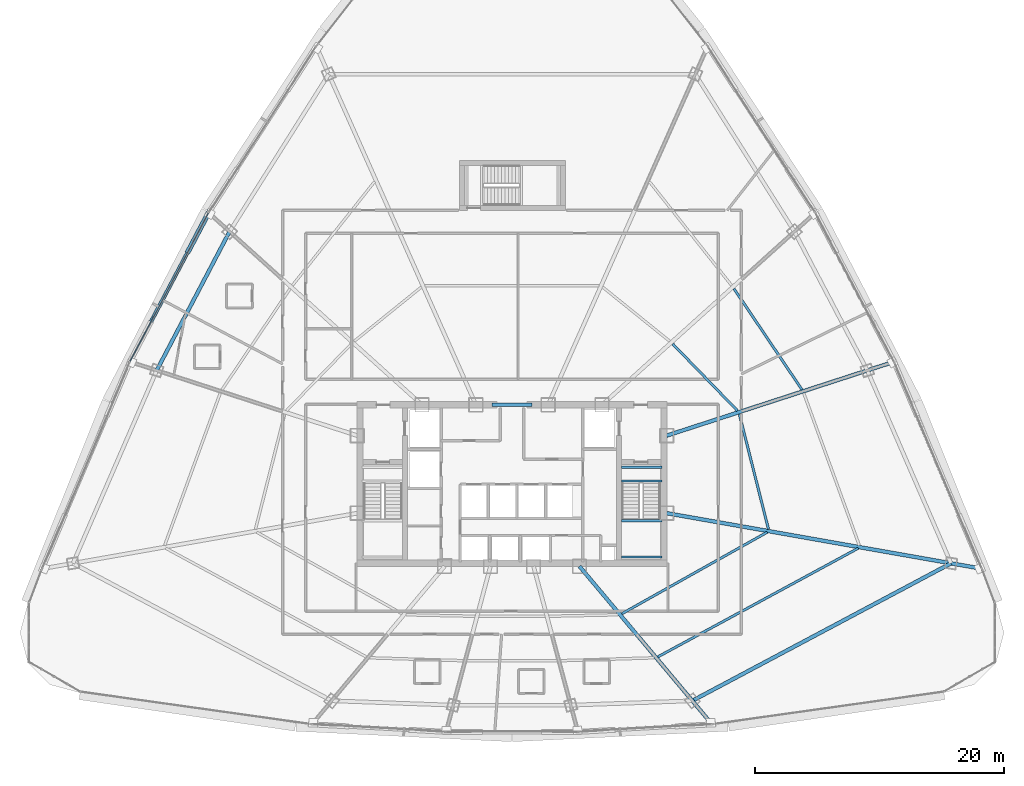
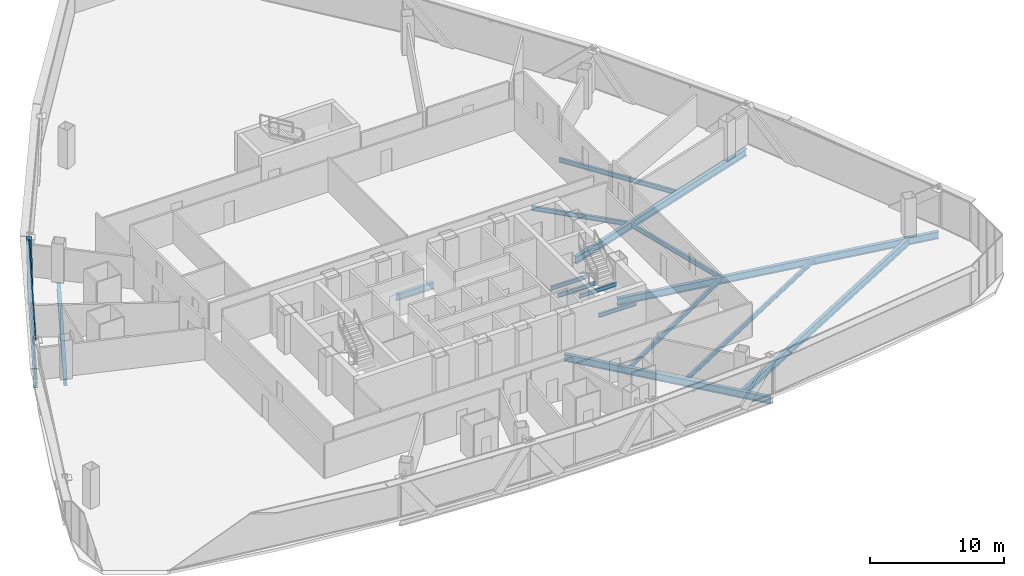
# One storey, part 15 of 40: 16 beams, 3 members, 1 element without a shape of its own.
"""IFC4 building model written with IfcOpenShell, lengths in metres."""

import ifcopenshell
import ifcopenshell.guid

model = None  # the IFC model being written
_history = None  # IfcOwnerHistory: only IFC2X3 demands one
_inside = {}  # id of a spatial element -> (the spatial element, [elements in it])
_under = {}  # id of a project, library or spatial element -> (it, [spatial elements below it])
_declared = {}  # id of a project -> (the project, [libraries it declares])
_typed = {}  # id of a type object -> (the type object, [elements of that type])
_made_of = {}  # id of a material, layer set ... -> (it, [elements and type objects made of it])


def new_model(schema):
    """Start an empty IFC model of exactly this schema.

    Asked for "IFC4X3", IfcOpenShell would pick the latest addendum, in which some entities
    have other attributes; the version numbers below select the first issue.
    IFC2X3 requires an IfcOwnerHistory on every rooted entity: one is made here for all.
    """
    global model, _history
    if schema == "IFC4X3":
        model = ifcopenshell.file(schema_version=(4, 3, 0, 0))
    else:
        model = ifcopenshell.file(schema=schema)
    _inside.clear()
    _under.clear()
    _declared.clear()
    _typed.clear()
    _made_of.clear()
    _history = None
    if model.schema == "IFC2X3":
        org = make("IfcOrganization", Name="unknown")
        user = make(
            "IfcPersonAndOrganization",
            ThePerson=make("IfcPerson", FamilyName="unknown"),
            TheOrganization=org,
        )
        app = make(
            "IfcApplication",
            ApplicationDeveloper=org,
            Version="unknown",
            ApplicationFullName="unknown",
            ApplicationIdentifier="unknown",
        )
        _history = make(
            "IfcOwnerHistory",
            OwningUser=user,
            OwningApplication=app,
            ChangeAction="ADDED",
            CreationDate=0,
        )
    return model


def make(cls, **values):
    """One entity of the class cls with the attributes given. An attribute that is None is left unset."""
    return model.create_entity(
        cls, **{name: value for name, value in values.items() if value is not None}
    )


def rooted(cls, **values):
    """An entity with a GlobalId (a new one), such as an element, a storey or a relation."""
    return make(cls, GlobalId=ifcopenshell.guid.new(), OwnerHistory=_history, **values)


def si_unit(unit_type, name, prefix=None):
    """IfcSIUnit, for example si_unit("LENGTHUNIT", "METRE", prefix="MILLI")."""
    return make("IfcSIUnit", UnitType=unit_type, Prefix=prefix, Name=name)


def assignment(units):
    """IfcUnitAssignment: the units of a project."""
    return None if units is None else make("IfcUnitAssignment", Units=units)


def point(xyz):
    """IfcCartesianPoint."""
    return None if xyz is None else make("IfcCartesianPoint", Coordinates=xyz)


def direction(xyz):
    """IfcDirection."""
    return None if xyz is None else make("IfcDirection", DirectionRatios=xyz)


def frame(location, z_axis=None, x_axis=None):
    """IfcAxis2Placement3D, a coordinate frame: its origin and axes. An axis left out is left unset."""
    return make(
        "IfcAxis2Placement3D",
        Location=point(location),
        Axis=direction(z_axis),
        RefDirection=direction(x_axis),
    )


def frame_2d(location, x_axis=None):
    """IfcAxis2Placement2D, a coordinate frame in the plane: its origin and x axis."""
    return make(
        "IfcAxis2Placement2D", Location=point(location), RefDirection=direction(x_axis)
    )


def origin():
    """The frame at (0, 0, 0) with its axes left unset."""
    return frame((0.0, 0.0, 0.0))


def origin_2d():
    """The frame at (0, 0) in the plane with its x axis left unset."""
    return frame_2d((0.0, 0.0))


def place(relative_to, where):
    """IfcLocalPlacement: puts the frame where relative to a parent placement (None: the world)."""
    return make(
        "IfcLocalPlacement", PlacementRelTo=relative_to, RelativePlacement=where
    )


def context(
    kind, dimensions, precision=None, world=None, true_north=None, identifier=None
):
    """IfcGeometricRepresentationContext, for example the 3D "Model" context."""
    return make(
        "IfcGeometricRepresentationContext",
        ContextIdentifier=identifier,
        ContextType=kind,
        CoordinateSpaceDimension=dimensions,
        Precision=precision,
        WorldCoordinateSystem=world,
        TrueNorth=true_north,
    )


def subcontext(parent, identifier, kind, view, scale=None):
    """IfcGeometricRepresentationSubContext, for example "Body" below "Model"."""
    return make(
        "IfcGeometricRepresentationSubContext",
        ContextIdentifier=identifier,
        ContextType=kind,
        ParentContext=parent,
        TargetScale=scale,
        TargetView=view,
    )


def project(units=None, contexts=None):
    """IfcProject with its units and contexts."""
    return rooted(
        "IfcProject",
        Name="project",
        RepresentationContexts=contexts,
        UnitsInContext=assignment(units),
    )


def spatial(cls, under=None, at=None, **own):
    """A site, building, storey or space (cls), placed at a placement, below another one or the project."""
    s = rooted(cls, ObjectPlacement=at, **own)
    if under is not None:
        _under.setdefault(under.id(), (under, []))[1].append(s)
    return s


def profile(cls, at=None, kind="AREA", **sizes):
    """A parametric profile (cls). Its sizes go by their IFC names, for example OverallWidth=200.0."""
    return make(cls, ProfileType=kind, Position=at, **sizes)


def hollow_rectangle(**sizes):
    """IfcRectangleHollowProfileDef."""
    return profile("IfcRectangleHollowProfileDef", **sizes)


def i_section(**sizes):
    """IfcIShapeProfileDef."""
    return profile("IfcIShapeProfileDef", **sizes)


def extrude(swept, where, along, depth):
    """IfcExtrudedAreaSolid: the profile swept, set in the frame where, extruded along a direction by depth."""
    return make(
        "IfcExtrudedAreaSolid",
        SweptArea=swept,
        Position=where,
        ExtrudedDirection=direction(along),
        Depth=depth,
    )


def shape(context_of_items, identifier, shape_type, items):
    """IfcShapeRepresentation: the items that make up one representation, for example the "Body"."""
    return make(
        "IfcShapeRepresentation",
        ContextOfItems=context_of_items,
        RepresentationIdentifier=identifier,
        RepresentationType=shape_type,
        Items=items,
    )


def source(mapping_origin, context_of_items, identifier, shape_type, items):
    """IfcRepresentationMap: a shape defined once, which mapped items show again and again."""
    return make(
        "IfcRepresentationMap",
        MappingOrigin=mapping_origin,
        MappedRepresentation=shape(context_of_items, identifier, shape_type, items),
    )


def transform(
    local_origin,
    x_axis=None,
    y_axis=None,
    z_axis=None,
    scale=None,
    scale2=None,
    scale3=None,
    uniform=True,
):
    """IfcCartesianTransformationOperator3D, or its non-uniform kind. x_axis, y_axis, z_axis: its Axis1, 2, 3."""
    if uniform:
        return make(
            "IfcCartesianTransformationOperator3D",
            Axis1=direction(x_axis),
            Axis2=direction(y_axis),
            LocalOrigin=point(local_origin),
            Scale=scale,
            Axis3=direction(z_axis),
        )
    return make(
        "IfcCartesianTransformationOperator3DnonUniform",
        Axis1=direction(x_axis),
        Axis2=direction(y_axis),
        LocalOrigin=point(local_origin),
        Scale=scale,
        Axis3=direction(z_axis),
        Scale2=scale2,
        Scale3=scale3,
    )


def mapped(mapping_source, mapping_target):
    """IfcMappedItem: shows the shape of a source again, moved by a transform."""
    return make(
        "IfcMappedItem", MappingSource=mapping_source, MappingTarget=mapping_target
    )


def material(Name=None, Category=None):
    """IfcMaterial."""
    return make("IfcMaterial", Name=Name, Category=Category)


def layer(
    of_material, thickness, ventilated=None, Name=None, Category=None, Priority=None
):
    """IfcMaterialLayer: one layer of a wall or slab, of a material (None: an air gap)."""
    return make(
        "IfcMaterialLayer",
        Material=of_material,
        LayerThickness=thickness,
        IsVentilated=ventilated,
        Name=Name,
        Category=Category,
        Priority=Priority,
    )


def layer_set(layers, Name=None):
    """IfcMaterialLayerSet."""
    return make("IfcMaterialLayerSet", MaterialLayers=layers, LayerSetName=Name)


def material_profile(
    of_material, cross_section, Name=None, Category=None, Priority=None
):
    """IfcMaterialProfile: a cross section and its material."""
    return make(
        "IfcMaterialProfile",
        Name=Name,
        Material=of_material,
        Profile=cross_section,
        Priority=Priority,
        Category=Category,
    )


def profile_set(profiles, Name=None, composite=None):
    """IfcMaterialProfileSet."""
    return make(
        "IfcMaterialProfileSet",
        Name=Name,
        MaterialProfiles=profiles,
        CompositeProfile=composite,
    )


def made_of(thing, what):
    """Note that an element or type object is made of a material, layer set ...; save() writes the relation."""
    if what is not None:
        _made_of.setdefault(what.id(), (what, []))[1].append(thing)
    return thing


def type_object(cls, material=None, **own):
    """A type object (cls), such as IfcWallType, which elements share."""
    return made_of(rooted(cls, **own), material)


def element(
    cls,
    number,
    at=None,
    inside=None,
    cuts=None,
    type_object=None,
    material=None,
    context=None,
    identifier="Body",
    shape_type=None,
    held_by="IfcProductDefinitionShape",
    body=None,
    shapes=None,
    **own,
):
    """One element of the class cls, such as IfcWall. Its Tag is "e" and its number.

    at: its placement. inside: the storey or other place that contains it. cuts: it is an
    opening in that element (IfcRelVoidsElement). A single representation is given by context,
    identifier, shape_type and body (its items); several are given by shapes. held_by: the class
    of the entity that holds the representations. save() writes the other relations.
    """
    e = rooted(cls, Tag="e%d" % number, ObjectPlacement=at, **own)
    if body is not None:
        shapes = [shape(context, identifier, shape_type, body)]
    if shapes is not None:
        e.Representation = make(held_by, Representations=shapes)
    if inside is not None:
        _inside.setdefault(inside.id(), (inside, []))[1].append(e)
    if cuts is not None:
        rooted(
            "IfcRelVoidsElement", RelatingBuildingElement=cuts, RelatedOpeningElement=e
        )
    if type_object is not None:
        _typed.setdefault(type_object.id(), (type_object, []))[1].append(e)
    return made_of(e, material)


def aggregate(whole, parts):
    """IfcRelAggregates: a whole, such as a stair, and the parts it consists of."""
    return rooted("IfcRelAggregates", RelatingObject=whole, RelatedObjects=parts)


def save(model, path):
    """Write the relations noted so far, then the file.

    IfcRelAggregates (storeys below a building ...), IfcRelContainedInSpatialStructure (elements
    in a storey), IfcRelDefinesByType, IfcRelAssociatesMaterial and IfcRelDeclares: one each for
    every whole, place, type object, material and project.
    """
    for whole, parts in _under.values():
        aggregate(whole, parts)
    for where, things in _inside.values():
        rooted(
            "IfcRelContainedInSpatialStructure",
            RelatedElements=things,
            RelatingStructure=where,
        )
    for kind, things in _typed.values():
        rooted("IfcRelDefinesByType", RelatedObjects=things, RelatingType=kind)
    for what, things in _made_of.values():
        rooted("IfcRelAssociatesMaterial", RelatedObjects=things, RelatingMaterial=what)
    for by, libraries in _declared.values():
        rooted("IfcRelDeclares", RelatingContext=by, RelatedDefinitions=libraries)
    model.write(path)


model = new_model("IFC4")

# Units and contexts
model_context = context("Model", 3, precision=1e-05, world=origin(), true_north=direction((0.0, 1.0)))
body_context = subcontext(model_context, "Body", "Model", "MODEL_VIEW")
ifc_project = project(units=[si_unit("LENGTHUNIT", "METRE"), si_unit("AREAUNIT", "SQUARE_METRE"), si_unit("VOLUMEUNIT", "CUBIC_METRE"), si_unit("PLANEANGLEUNIT", "RADIAN"), si_unit("MASSUNIT", "GRAM", prefix="KILO"), si_unit("THERMODYNAMICTEMPERATUREUNIT", "KELVIN"), si_unit("POWERUNIT", "WATT")], contexts=[model_context])

# Site, building, storey
site_placement = place(None, origin())
site = spatial("IfcSite", under=ifc_project, at=site_placement, CompositionType="ELEMENT")
building_placement = place(site_placement, origin())
building = spatial("IfcBuilding", under=site, at=building_placement, Name="Yunzhuo Pagoda Commons", CompositionType="ELEMENT")
storey_placement = place(building_placement, frame((0.0, 0.0, 188.56005859375)))
storey = spatial("IfcBuildingStorey", under=building, at=storey_placement, Name="L47", CompositionType="ELEMENT", Elevation=188.56005859375)

# Beams
ifc_material_1 = material(Name="Structural steel Q355B", Category="steel")
ifc_material_profile_1 = material_profile(ifc_material_1, i_section(OverallWidth=0.175048828125, OverallDepth=0.35009765625, WebThickness=0.007080078125, FlangeThickness=0.010986328125, at=origin_2d()), Name="Structural steel Q355B")
ifc_profile_set_1 = profile_set([ifc_material_profile_1], Name="Structural steel Q355B")
beam_type_1 = type_object("IfcBeamType", Name="B-JS2 Joist HN 350x175x7x11", PredefinedType="JOIST", material=ifc_profile_set_1)
shared_shape_1 = source(origin(), body_context, "Body", "SweptSolid", [
    extrude(i_section(OverallWidth=0.175048828125, OverallDepth=0.35009765625, WebThickness=0.007080078125, FlangeThickness=0.010986328125, at=origin_2d()), origin(), (0.0, 0.0, 1.0), 3.25),
])
for number, where, z_axis, x_axis, name in (
    (1, (56.800048828125, 28.0, 1.52490234375), (1.0, 0.0, 0.0), (0.0, 1.0, 0.0), "L47 ST2 landing support beam 53A"),
    (2, (56.800048828125, 30.89990234375, 1.52490234375), (1.0, 0.0, 0.0), (0.0, 1.0, 0.0), "L47 ST2 landing support beam 53B"),
    (3, (56.800048828125, 34.10009765625, -0.375), (1.0, 0.0, 0.0), (0.0, 1.0, 0.0), "L47 ST2 landing support beam 151A"),
    (4, (56.800048828125, 35.199951171875, -0.375), (1.0, 0.0, 0.0), (0.0, 1.0, 0.0), "L47 ST2 landing support beam 151B"),
):
    element("IfcBeam", number, at=place(storey_placement, frame(where, z_axis=z_axis, x_axis=x_axis)), inside=storey, type_object=beam_type_1, Name=name, PredefinedType="JOIST", context=body_context, shape_type="MappedRepresentation", body=[
        mapped(shared_shape_1, transform((0.0, 0.0, 0.0), scale=1.0)),
    ])
ifc_material_2 = material(Name="Structural steel Q420B", Category="steel")
ifc_material_profile_2 = material_profile(ifc_material_2, i_section(OverallWidth=0.300048828125, OverallDepth=0.587890625, WebThickness=0.011962890625, FlangeThickness=0.02001953125, at=origin_2d()), Name="Structural steel Q420B")
ifc_profile_set_2 = profile_set([ifc_material_profile_2], Name="Structural steel Q420B")
beam_type_2 = type_object("IfcBeamType", Name="B-CPL Beam HM 588x300x12x20", PredefinedType="BEAM", material=ifc_profile_set_2)
shared_shape_2 = source(origin(), body_context, "Body", "SweptSolid", [
    extrude(i_section(OverallWidth=0.300048828125, OverallDepth=0.587890625, WebThickness=0.011962890625, FlangeThickness=0.02001953125, at=origin_2d()), origin(), (0.0, 0.0, 1.0), 3.2001953125),
])
beam_1_placement = place(storey_placement, frame((46.39990234375, 40.199951171875, -0.5537109375), z_axis=(1.0, 0.0, 0.0), x_axis=(0.0, 1.0, 0.0)))
element("IfcBeam", 5, at=beam_1_placement, inside=storey, type_object=beam_type_2, Name="L47 core coupling girder", PredefinedType="BEAM", context=body_context, shape_type="MappedRepresentation", body=[
    mapped(shared_shape_2, transform((0.0, 0.0, 0.0), scale=1.0)),
])
ifc_material_profile_3 = material_profile(ifc_material_1, i_section(OverallWidth=0.300048828125, OverallDepth=0.488037109375, WebThickness=0.010986328125, FlangeThickness=0.01806640625, at=origin_2d()), Name="Structural steel Q355B")
ifc_profile_set_3 = profile_set([ifc_material_profile_3], Name="Structural steel Q355B")
beam_type_3 = type_object("IfcBeamType", Name="B-SP1 Beam HM 488x300x11x18", PredefinedType="BEAM", material=ifc_profile_set_3)
shared_shape_3 = source(origin(), body_context, "Body", "SweptSolid", [
    extrude(i_section(OverallWidth=0.300048828125, OverallDepth=0.488037109375, WebThickness=0.010986328125, FlangeThickness=0.01806640625, at=origin_2d()), origin(), (0.0, 0.0, 1.0), 13.517333984375),
])
beam_2_placement = place(storey_placement, frame((23.66455078125, 55.61181640625, -0.504150390625), z_axis=(-0.466756265166, -0.884385995439, 0.0), x_axis=(0.884385995439, -0.466756265166, 0.0)))
element("IfcBeam", 6, at=beam_2_placement, inside=storey, type_object=beam_type_3, Name="L47 facade edge spandrel beam F3.2", PredefinedType="BEAM", context=body_context, shape_type="MappedRepresentation", body=[
    mapped(shared_shape_3, transform((0.0, 0.0, 0.0), scale=1.0)),
])
ifc_material_profile_4 = material_profile(ifc_material_1, i_section(OverallWidth=0.300048828125, OverallDepth=0.64990234375, WebThickness=0.012939453125, FlangeThickness=0.02197265625, at=origin_2d()), Name="Structural steel Q355B")
ifc_profile_set_4 = profile_set([ifc_material_profile_4], Name="Structural steel Q355B")
beam_type_4 = type_object("IfcBeamType", Name="B-RG2 Beam HN 650x300x13x22", PredefinedType="BEAM", material=ifc_profile_set_4)
shared_shape_4 = source(origin(), body_context, "Body", "SweptSolid", [
    extrude(i_section(OverallWidth=0.300048828125, OverallDepth=0.64990234375, WebThickness=0.012939453125, FlangeThickness=0.02197265625, at=origin_2d()), origin(), (0.0, 0.0, 1.0), 23.49365234375),
])
beam_3_placement = place(storey_placement, frame((62.461181640625, 16.4658203125, -0.5849609375), z_axis=(0.883016269865, 0.469342377325, 0.0), x_axis=(-0.469342377325, 0.883016269865, 0.0)))
element("IfcBeam", 7, at=beam_3_placement, inside=storey, type_object=beam_type_4, Name="L47 column-ring beam 4", PredefinedType="BEAM", context=body_context, shape_type="MappedRepresentation", body=[
    mapped(shared_shape_4, transform((0.0, 0.0, 0.0), scale=1.0)),
])
shared_shape_5 = source(origin(), body_context, "Body", "SweptSolid", [
    extrude(i_section(OverallWidth=0.300048828125, OverallDepth=0.64990234375, WebThickness=0.012939453125, FlangeThickness=0.02197265625, at=origin_2d()), origin(), (0.0, 0.0, 1.0), 12.576416015625),
])
beam_4_placement = place(storey_placement, frame((25.349365234375, 54.0947265625, -0.5849609375), z_axis=(-0.464676385233, -0.885480579689, 0.0), x_axis=(0.885480579689, -0.464676385233, 0.0)))
element("IfcBeam", 8, at=beam_4_placement, inside=storey, type_object=beam_type_4, Name="L47 column-ring beam 10", PredefinedType="BEAM", context=body_context, shape_type="MappedRepresentation", body=[
    mapped(shared_shape_5, transform((0.0, 0.0, 0.0), scale=1.0)),
])
shared_shape_6 = source(origin(), body_context, "Body", "SweptSolid", [
    extrude(i_section(OverallWidth=0.300048828125, OverallDepth=0.64990234375, WebThickness=0.012939453125, FlangeThickness=0.02197265625, at=origin_2d()), origin(), (0.0, 0.0, 1.0), 16.390625),
])
beam_5_placement = place(storey_placement, frame((63.94775390625, 14.694091796875, -0.5849609375), z_axis=(-0.642787129535, 0.766044846014, 0.0), x_axis=(-0.766044846014, -0.642787129535, 0.0)))
element("IfcBeam", 9, at=beam_5_placement, inside=storey, type_object=beam_type_4, Name="L47 radial floor girder F1C4", PredefinedType="BEAM", context=body_context, shape_type="MappedRepresentation", body=[
    mapped(shared_shape_6, transform((0.0, 0.0, 0.0), scale=1.0)),
])
shared_shape_7 = source(origin(), body_context, "Body", "SweptSolid", [
    extrude(i_section(OverallWidth=0.300048828125, OverallDepth=0.64990234375, WebThickness=0.012939453125, FlangeThickness=0.02197265625, at=origin_2d()), origin(), (0.0, 0.0, 1.0), 25.52734375),
])
beam_6_placement = place(storey_placement, frame((85.53955078125, 27.0810546875, -0.5849609375), z_axis=(-0.984810601719, 0.173632021076, 0.0), x_axis=(-0.173632021076, -0.984810601719, 0.0)))
element("IfcBeam", 10, at=beam_6_placement, inside=storey, type_object=beam_type_4, Name="L47 radial floor girder F2C1", PredefinedType="BEAM", context=body_context, shape_type="MappedRepresentation", body=[
    mapped(shared_shape_7, transform((0.0, 0.0, 0.0), scale=1.0)),
])
shared_shape_8 = source(origin(), body_context, "Body", "SweptSolid", [
    extrude(i_section(OverallWidth=0.300048828125, OverallDepth=0.64990234375, WebThickness=0.012939453125, FlangeThickness=0.02197265625, at=origin_2d()), origin(), (0.0, 0.0, 1.0), 19.029296875),
])
beam_7_placement = place(storey_placement, frame((78.497802734375, 43.609375, -0.5849609375), z_axis=(-0.95105641133, -0.309017317424, 0.0), x_axis=(0.309017317424, -0.95105641133, 0.0)))
element("IfcBeam", 11, at=beam_7_placement, inside=storey, type_object=beam_type_4, Name="L47 radial floor girder F2C2", PredefinedType="BEAM", context=body_context, shape_type="MappedRepresentation", body=[
    mapped(shared_shape_8, transform((0.0, 0.0, 0.0), scale=1.0)),
])
ifc_material_profile_5 = material_profile(ifc_material_1, i_section(OverallWidth=0.199951171875, OverallDepth=0.39990234375, WebThickness=0.008056640625, FlangeThickness=0.012939453125, at=origin_2d()), Name="Structural steel Q355B")
ifc_profile_set_5 = profile_set([ifc_material_profile_5], Name="Structural steel Q355B")
beam_type_5 = type_object("IfcBeamType", Name="B-JS1 Joist HN 400x200x8x13", PredefinedType="JOIST", material=ifc_profile_set_5)
shared_shape_9 = source(origin(), body_context, "Body", "SweptSolid", [
    extrude(i_section(OverallWidth=0.199951171875, OverallDepth=0.39990234375, WebThickness=0.008056640625, FlangeThickness=0.012939453125, at=origin_2d()), origin(), (0.0, 0.0, 1.0), 13.372802734375),
])
beam_8_placement = place(storey_placement, frame((56.80859375, 23.445556640625, -0.4599609375), z_axis=(0.872150261016, 0.4892381038, 0.0), x_axis=(-0.4892381038, 0.872150261016, 0.0)))
element("IfcBeam", 12, at=beam_8_placement, inside=storey, type_object=beam_type_5, Name="L47 composite ring joist 1.4", PredefinedType="JOIST", context=body_context, shape_type="MappedRepresentation", body=[
    mapped(shared_shape_9, transform((0.0, 0.0, 0.0), scale=1.0)),
])
shared_shape_10 = source(origin(), body_context, "Body", "SweptSolid", [
    extrude(i_section(OverallWidth=0.199951171875, OverallDepth=0.39990234375, WebThickness=0.008056640625, FlangeThickness=0.012939453125, at=origin_2d()), origin(), (0.0, 0.0, 1.0), 18.27294921875),
])
beam_9_placement = place(storey_placement, frame((59.705322265625, 19.992431640625, -0.4599609375), z_axis=(0.879067821824, 0.476696721861, 0.0), x_axis=(-0.476696721861, 0.879067821824, 0.0)))
element("IfcBeam", 13, at=beam_9_placement, inside=storey, type_object=beam_type_5, Name="L47 composite ring joist 2.4", PredefinedType="JOIST", context=body_context, shape_type="MappedRepresentation", body=[
    mapped(shared_shape_10, transform((0.0, 0.0, 0.0), scale=1.0)),
])
shared_shape_11 = source(origin(), body_context, "Body", "SweptSolid", [
    extrude(i_section(OverallWidth=0.199951171875, OverallDepth=0.39990234375, WebThickness=0.008056640625, FlangeThickness=0.012939453125, at=origin_2d()), origin(), (0.0, 0.0, 1.0), 9.529052734375),
])
beam_10_placement = place(storey_placement, frame((68.5712890625, 30.219970703125, -0.4599609375), z_axis=(-0.245367921097, 0.969430030119, 0.0), x_axis=(-0.969430030119, -0.245367921097, 0.0)))
element("IfcBeam", 14, at=beam_10_placement, inside=storey, type_object=beam_type_5, Name="L47 composite ring joist 1.5", PredefinedType="JOIST", context=body_context, shape_type="MappedRepresentation", body=[
    mapped(shared_shape_11, transform((0.0, 0.0, 0.0), scale=1.0)),
])
shared_shape_12 = source(origin(), body_context, "Body", "SweptSolid", [
    extrude(i_section(OverallWidth=0.199951171875, OverallDepth=0.39990234375, WebThickness=0.008056640625, FlangeThickness=0.012939453125, at=origin_2d()), origin(), (0.0, 0.0, 1.0), 7.46826171875),
])
beam_11_placement = place(storey_placement, frame((66.08349609375, 39.725830078125, -0.4599609375), z_axis=(-0.696070782679, 0.717973164889, 0.0), x_axis=(-0.717973164889, -0.696070782679, 0.0)))
element("IfcBeam", 15, at=beam_11_placement, inside=storey, type_object=beam_type_5, Name="L47 composite ring joist 1.6", PredefinedType="JOIST", context=body_context, shape_type="MappedRepresentation", body=[
    mapped(shared_shape_12, transform((0.0, 0.0, 0.0), scale=1.0)),
])
shared_shape_13 = source(origin(), body_context, "Body", "SweptSolid", [
    extrude(i_section(OverallWidth=0.199951171875, OverallDepth=0.39990234375, WebThickness=0.008056640625, FlangeThickness=0.012939453125, at=origin_2d()), origin(), (0.0, 0.0, 1.0), 9.764892578125),
])
beam_12_placement = place(storey_placement, frame((71.255615234375, 41.4169921875, -0.4599609375), z_axis=(-0.558548425455, 0.829471914185, 0.0), x_axis=(-0.829471914185, -0.558548425455, 0.0)))
element("IfcBeam", 16, at=beam_12_placement, inside=storey, type_object=beam_type_5, Name="L47 composite ring joist 2.6", PredefinedType="JOIST", context=body_context, shape_type="MappedRepresentation", body=[
    mapped(shared_shape_13, transform((0.0, 0.0, 0.0), scale=1.0)),
])

# Member
ifc_material_profile_6 = material_profile(ifc_material_1, hollow_rectangle(XDim=0.39990234375, YDim=0.719970703125, WallThickness=0.02392578125, at=origin_2d()), Name="Structural steel Q355B")
ifc_profile_set_6 = profile_set([ifc_material_profile_6], Name="Structural steel Q355B")
member_type_1 = type_object("IfcMemberType", Name="M-DL2 Brace BOX 720x400x24", PredefinedType="BRACE", material=ifc_profile_set_6)
shared_shape_14 = source(origin(), body_context, "Body", "SweptSolid", [
    extrude(hollow_rectangle(XDim=0.39990234375, YDim=0.719970703125, WallThickness=0.02392578125, at=origin_2d()), origin(), (0.0, 0.0, 1.0), 5.08544921875),
])
member_1_placement = place(storey_placement, frame((22.087158203125, 52.623046875, -0.260009765625), z_axis=(0.310180698867, 0.587715851344, 0.74724695525), x_axis=(-0.884386409568, 0.466755480495, 0.0)))
element("IfcMember", 17, at=member_1_placement, inside=storey, type_object=member_type_1, Name="L47 facade diamond brace F3.2L", PredefinedType="BRACE", context=body_context, shape_type="MappedRepresentation", body=[
    mapped(shared_shape_14, transform((0.0, 0.0, 0.0), scale=1.0)),
])

# Curtain wall, members
ifc_material_3 = material(Name="Anodized aluminium 6063-T6", Category="aluminium")
ifc_layer = layer(ifc_material_3, 0.14990234375)
ifc_layer_set = layer_set([ifc_layer], Name="Anodized aluminium 6063-T6")
curtain_wall_type = type_object("IfcCurtainWallType", Name="CW-MID Mid-Zone Ribbon Curtain Wall", PredefinedType="NOTDEFINED", material=ifc_layer_set)
curtain_wall_placement = place(storey_placement, origin())
curtain_wall = element("IfcCurtainWall", 18, at=curtain_wall_placement, inside=storey, type_object=curtain_wall_type, Name="L47 curtain wall CW-L47-F3B3", PredefinedType="NOTDEFINED")
ifc_material_profile_7 = material_profile(ifc_material_3, hollow_rectangle(XDim=0.054931640625, YDim=0.1298828125, WallThickness=0.00341796875, at=origin_2d()), Name="Anodized aluminium 6063-T6")
ifc_profile_set_7 = profile_set([ifc_material_profile_7], Name="Anodized aluminium 6063-T6")
member_type_2 = type_object("IfcMemberType", Name="CW-MID-T Transom RHS 130x55x3.5", PredefinedType="USERDEFINED", material=ifc_profile_set_7)
shared_shape_15 = source(origin(), body_context, "Body", "SweptSolid", [
    extrude(hollow_rectangle(XDim=0.054931640625, YDim=0.1298828125, WallThickness=0.00341796875, at=origin_2d()), origin(), (0.0, 0.0, 1.0), 13.3974609375),
])
member_2_placement = place(storey_placement, frame((23.636474609375, 55.55859375, 0.02734375), z_axis=(-0.466764558252, -0.884381618511, 0.0), x_axis=(0.884381618511, -0.466764558252, 0.0)))
member_2 = element("IfcMember", 19, at=member_2_placement, type_object=member_type_2, Name="CW transom 1.1", ObjectType="TRANSOM", PredefinedType="USERDEFINED", context=body_context, shape_type="MappedRepresentation", body=[
    mapped(shared_shape_15, transform((0.0, 0.0, 0.0), scale=1.0)),
])
member_3_placement = place(storey_placement, frame((23.636474609375, 55.55859375, 3.512451171875), z_axis=(-0.466764558252, -0.884381618511, 0.0), x_axis=(0.884381618511, -0.466764558252, 0.0)))
member_3 = element("IfcMember", 20, at=member_3_placement, type_object=member_type_2, Name="CW transom 1.2", ObjectType="TRANSOM", PredefinedType="USERDEFINED", context=body_context, shape_type="MappedRepresentation", body=[
    mapped(shared_shape_15, transform((0.0, 0.0, 0.0), scale=1.0)),
])
aggregate(curtain_wall, [member_2, member_3])

save(model, "model.ifc")
